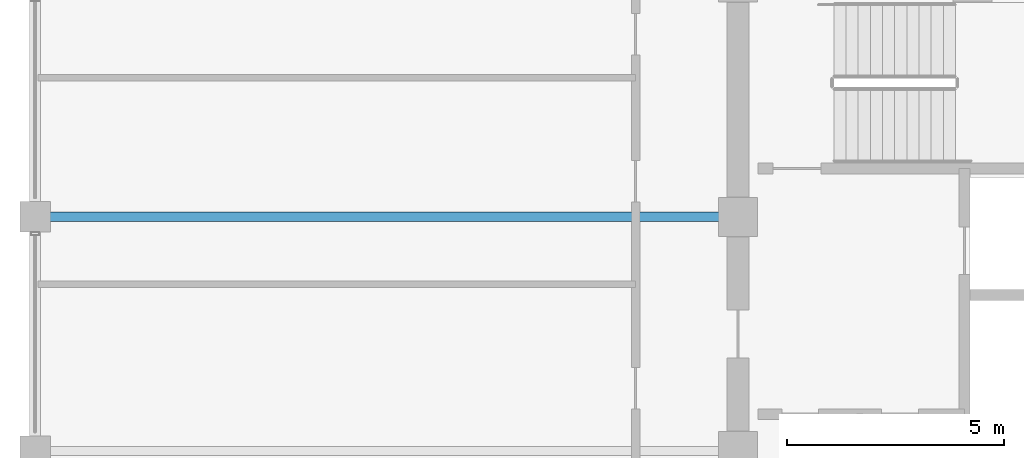
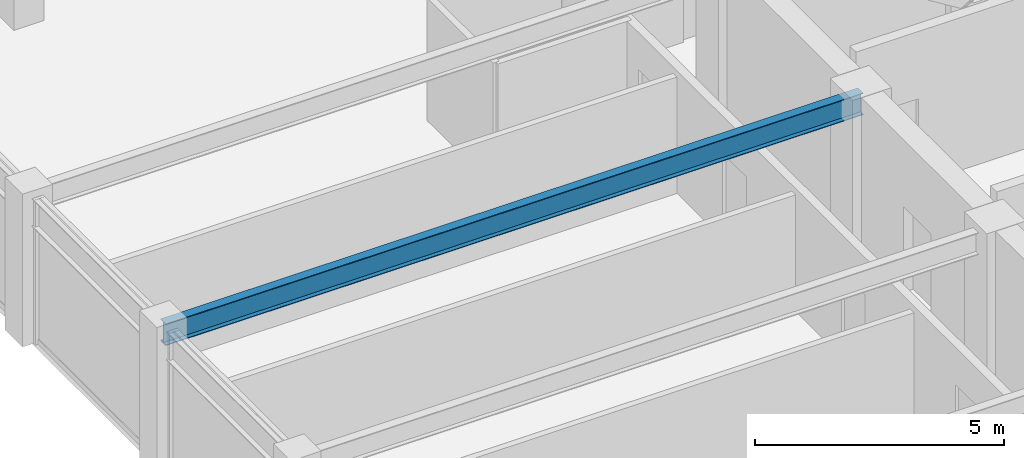
# One storey, part 11 of 31: 1 beam.
"""IFC4 building model written with IfcOpenShell, lengths in metres."""

from ifc_helpers import new_model, si_unit, direction, frame, origin, origin_2d, place, context, subcontext, project, spatial, i_section, extrude, material, material_profile, profile_set, type_object, element, save


model = new_model("IFC4")

# Units and contexts
model_context = context("Model", 3, precision=1e-05, world=origin(), true_north=direction((0.0, 1.0)))
body_context = subcontext(model_context, "Body", "Model", "MODEL_VIEW")
ifc_project = project(units=[si_unit("LENGTHUNIT", "METRE"), si_unit("AREAUNIT", "SQUARE_METRE"), si_unit("VOLUMEUNIT", "CUBIC_METRE"), si_unit("PLANEANGLEUNIT", "RADIAN"), si_unit("MASSUNIT", "GRAM", prefix="KILO")], contexts=[model_context])

# Site, building, storey
site_placement = place(None, origin())
site = spatial("IfcSite", under=ifc_project, at=site_placement, CompositionType="ELEMENT")
building_placement = place(site_placement, origin())
building = spatial("IfcBuilding", under=site, at=building_placement, Name="Surkhivell Harbour Commons", CompositionType="ELEMENT")
storey_placement = place(building_placement, frame((0.0, 0.0, 330.0)))
storey = spatial("IfcBuildingStorey", under=building, at=storey_placement, Name="L86", CompositionType="ELEMENT", Elevation=330.0)

# Beam
ifc_material = material(Name="Steel S355", Category="steel")
ifc_material_profile = material_profile(ifc_material, i_section(OverallWidth=0.2099609375, OverallDepth=0.537109375, WebThickness=0.0107421875, FlangeThickness=0.017333984375, at=origin_2d()), Name="UB533x210x101")
ifc_profile_set = profile_set([ifc_material_profile], Name="Steel S355")
beam_type = type_object("IfcBeamType", Name="BM-GRD-533B", PredefinedType="BEAM", material=ifc_profile_set)
beam_placement = place(storey_placement, frame((-27.0, 5.39990234375, 3.301513671875), z_axis=(1.0, 0.0, 0.0), x_axis=(0.0, 1.0, 0.0)))
element("IfcBeam", 1, at=beam_placement, inside=storey, type_object=beam_type, Name="L86 Floor Girder (-27.0,5.4)", PredefinedType="BEAM", context=body_context, shape_type="SweptSolid", body=[
    extrude(i_section(OverallWidth=0.2099609375, OverallDepth=0.537109375, WebThickness=0.0107421875, FlangeThickness=0.017333984375, at=origin_2d()), origin(), (0.0, 0.0, 1.0), 16.199951171875),
])

save(model, "model.ifc")
